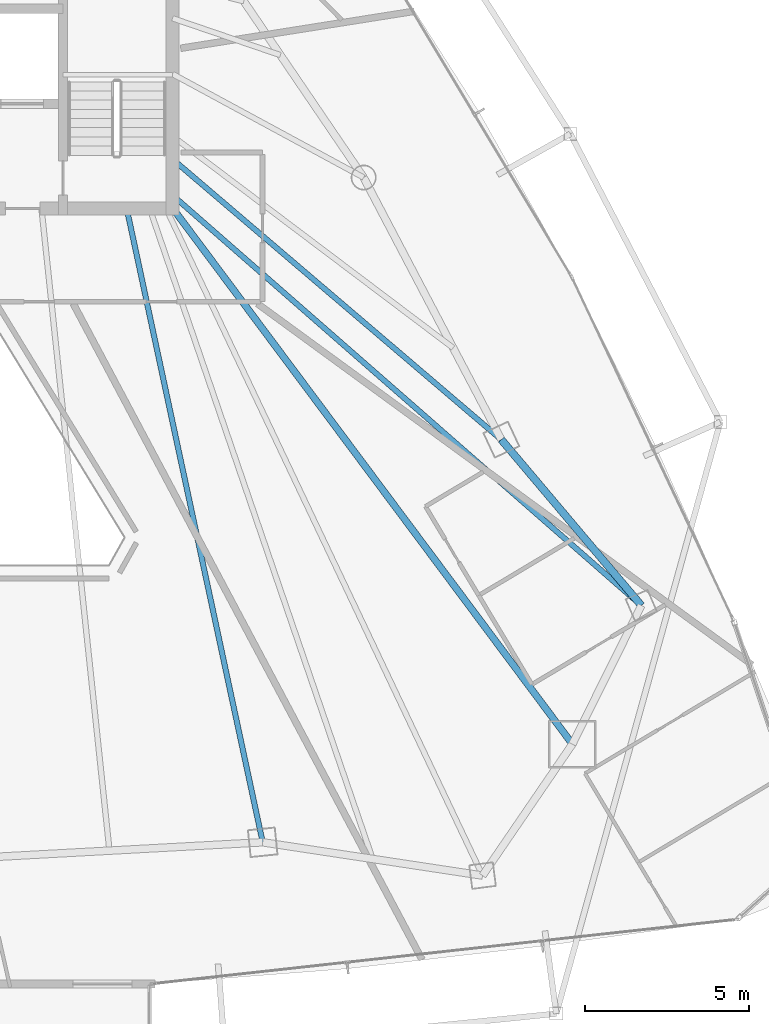
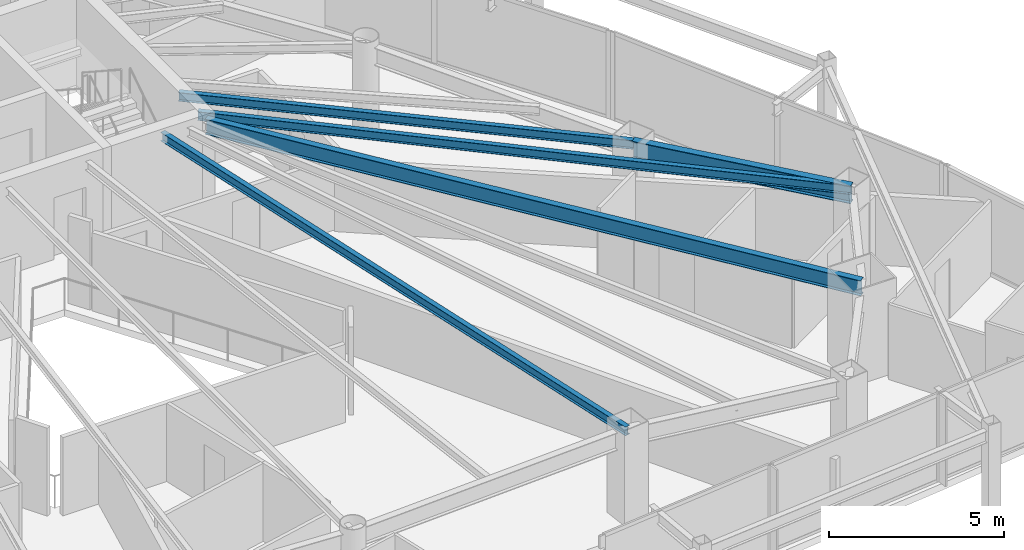
# One storey, part 15 of 33: 5 beams.
"""IFC4 building model written with IfcOpenShell, lengths in metres."""

from ifc_helpers import new_model, si_unit, direction, frame, origin, origin_2d, place, context, subcontext, project, spatial, i_section, extrude, material, material_profile, profile_set, type_object, element, save


model = new_model("IFC4")

# Units and contexts
model_context = context("Model", 3, precision=1e-05, world=origin(), true_north=direction((0.0, 1.0)))
body_context = subcontext(model_context, "Body", "Model", "MODEL_VIEW")
ifc_project = project(units=[si_unit("LENGTHUNIT", "METRE"), si_unit("AREAUNIT", "SQUARE_METRE"), si_unit("VOLUMEUNIT", "CUBIC_METRE"), si_unit("PLANEANGLEUNIT", "RADIAN"), si_unit("MASSUNIT", "GRAM", prefix="KILO")], contexts=[model_context])

# Site, building, storey
site_placement = place(None, origin())
site = spatial("IfcSite", under=ifc_project, at=site_placement, CompositionType="ELEMENT")
building_placement = place(site_placement, origin())
building = spatial("IfcBuilding", under=site, at=building_placement, Name="Orvanel Arch Residences", CompositionType="ELEMENT")
storey_placement = place(building_placement, frame((0.0, 0.0, 119.89990234375)))
storey = spatial("IfcBuildingStorey", under=building, at=storey_placement, Name="L33", CompositionType="ELEMENT", Elevation=119.89990234375)

# Beams
ifc_material = material(Name="Structural steel AS/NZS 3679.1 Grade 300 (300 MPa)", Category="steel")
ifc_material_profile_1 = material_profile(ifc_material, i_section(OverallWidth=0.208984375, OverallDepth=0.532958984375, WebThickness=0.01025390625, FlangeThickness=0.015625, at=origin_2d()), Name="530UB92.4")
ifc_profile_set_1 = profile_set([ifc_material_profile_1], Name="Structural steel AS/NZS 3679.1 Grade 300 (300 MPa)")
beam_type_1 = type_object("IfcBeamType", Name="BG-530UB", PredefinedType="BEAM", material=ifc_profile_set_1)
beam_1_placement = place(storey_placement, frame((39.625, 26.675048828125, 2.794189453125), z_axis=(0.597893733742, -0.801575375839, 0.0), x_axis=(0.801575375839, 0.597893733742, 0.0)))
element("IfcBeam", 1, at=beam_1_placement, inside=storey, type_object=beam_type_1, Name="L33 South-East Radial Girder", PredefinedType="BEAM", context=body_context, shape_type="SweptSolid", body=[
    extrude(i_section(OverallWidth=0.208984375, OverallDepth=0.532958984375, WebThickness=0.01025390625, FlangeThickness=0.015625, at=origin_2d()), origin(), (0.0, 0.0, 1.0), 20.36474609375),
])
ifc_material_profile_2 = material_profile(ifc_material, i_section(OverallWidth=0.1650390625, OverallDepth=0.303955078125, WebThickness=0.006103515625, FlangeThickness=0.01025390625, at=origin_2d()), Name="310UB40.4")
ifc_profile_set_2 = profile_set([ifc_material_profile_2], Name="Structural steel AS/NZS 3679.1 Grade 300 (300 MPa)")
beam_type_2 = type_object("IfcBeamType", Name="BJ-310UB", PredefinedType="JOIST", material=ifc_profile_set_2)
beam_2_placement = place(storey_placement, frame((39.60009765625, 28.199951171875, 2.908203125), z_axis=(0.760821315761, -0.648961420644, 0.0), x_axis=(0.648961420644, 0.760821315761, 0.0)))
element("IfcBeam", 2, at=beam_2_placement, inside=storey, type_object=beam_type_2, Name="L33 E Wing Floor Joist", PredefinedType="JOIST", context=body_context, shape_type="SweptSolid", body=[
    extrude(i_section(OverallWidth=0.1650390625, OverallDepth=0.303955078125, WebThickness=0.006103515625, FlangeThickness=0.01025390625, at=origin_2d()), origin(), (0.0, 0.0, 1.0), 13.18701171875),
])
beam_3_placement = place(storey_placement, frame((38.199951171875, 26.699951171875, 2.908203125), z_axis=(0.209808012425, -0.977742603103, 0.0), x_axis=(0.977742603103, 0.209808012425, 0.0)))
element("IfcBeam", 3, at=beam_3_placement, inside=storey, type_object=beam_type_2, Name="L33 SE Wing Floor Joist", PredefinedType="JOIST", context=body_context, shape_type="SweptSolid", body=[
    extrude(i_section(OverallWidth=0.1650390625, OverallDepth=0.303955078125, WebThickness=0.006103515625, FlangeThickness=0.01025390625, at=origin_2d()), origin(), (0.0, 0.0, 1.0), 19.785400390625),
])
beam_4_placement = place(storey_placement, frame((39.60009765625, 27.10009765625, 2.908203125), z_axis=(0.752493154183, -0.658600070534, 0.0), x_axis=(0.658600070534, 0.752493154183, 0.0)))
element("IfcBeam", 4, at=beam_4_placement, inside=storey, type_object=beam_type_2, Name="L33 ME Wing Floor Joist", PredefinedType="JOIST", context=body_context, shape_type="SweptSolid", body=[
    extrude(i_section(OverallWidth=0.1650390625, OverallDepth=0.303955078125, WebThickness=0.006103515625, FlangeThickness=0.01025390625, at=origin_2d()), origin(), (0.0, 0.0, 1.0), 19.010009765625),
])
ifc_material_profile_3 = material_profile(ifc_material, i_section(OverallWidth=0.22900390625, OverallDepth=0.612060546875, WebThickness=0.011962890625, FlangeThickness=0.01953125, at=origin_2d()), Name="610UB125")
ifc_profile_set_3 = profile_set([ifc_material_profile_3], Name="Structural steel AS/NZS 3679.1 Grade 300 (300 MPa)")
beam_type_3 = type_object("IfcBeamType", Name="SP-610UB", PredefinedType="SPANDREL", material=ifc_profile_set_3)
beam_5_placement = place(storey_placement, frame((53.905029296875, 14.580078125, 2.754150390625), z_axis=(-0.644950329775, 0.764224490659, 0.0), x_axis=(-0.764224490659, -0.644950329775, 0.0)))
element("IfcBeam", 5, at=beam_5_placement, inside=storey, type_object=beam_type_3, Name="L33 Perimeter Spandrel Beam 10", PredefinedType="SPANDREL", context=body_context, shape_type="SweptSolid", body=[
    extrude(i_section(OverallWidth=0.22900390625, OverallDepth=0.612060546875, WebThickness=0.011962890625, FlangeThickness=0.01953125, at=origin_2d()), origin(), (0.0, 0.0, 1.0), 6.623779296875),
])

save(model, "model.ifc")
